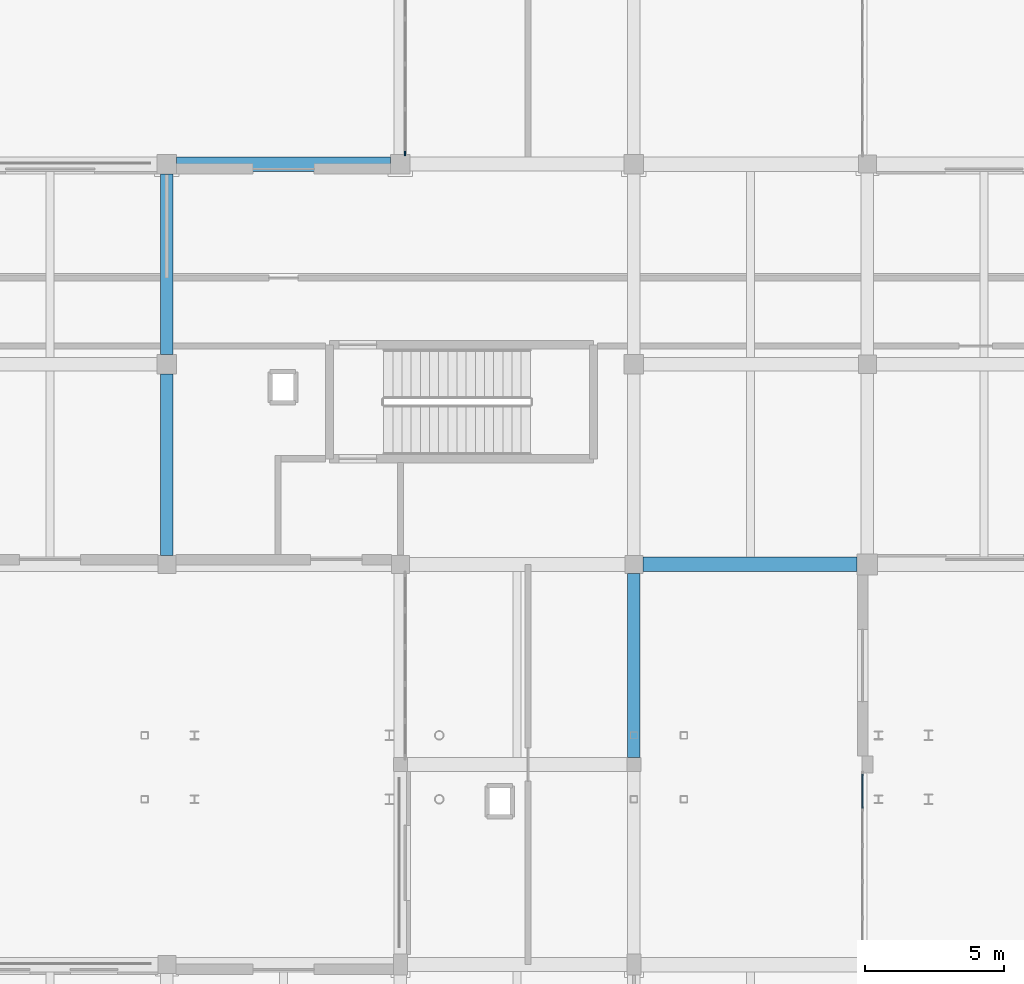
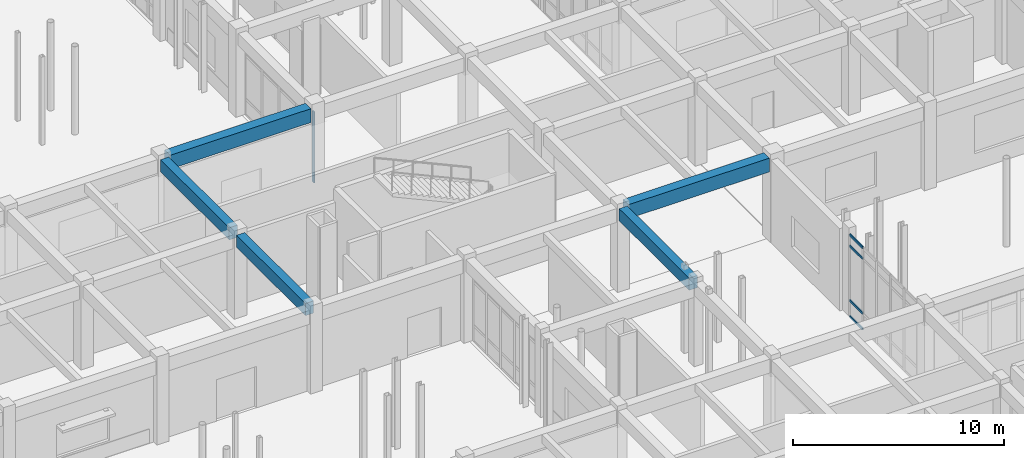
# One storey, part 50 of 121: 5 beams, 5 members, 2 elements without a shape of their own.
"""IFC4 building model written with IfcOpenShell, lengths in metres."""

from ifc_helpers import new_model, si_unit, direction, frame, origin, origin_2d, place, context, subcontext, project, spatial, rectangle, extrude, material, material_profile, profile_set, type_object, element, aggregate, save


model = new_model("IFC4")

# Units and contexts
model_context = context("Model", 3, precision=1e-05, world=origin(), true_north=direction((0.0, 1.0)))
body_context = subcontext(model_context, "Body", "Model", "MODEL_VIEW")
ifc_project = project(units=[si_unit("LENGTHUNIT", "METRE"), si_unit("AREAUNIT", "SQUARE_METRE"), si_unit("VOLUMEUNIT", "CUBIC_METRE"), si_unit("PLANEANGLEUNIT", "RADIAN"), si_unit("MASSUNIT", "GRAM", prefix="KILO")], contexts=[model_context])

# Site, building, storey
site_placement = place(None, origin())
site = spatial("IfcSite", under=ifc_project, at=site_placement, CompositionType="ELEMENT")
building_placement = place(site_placement, origin())
building = spatial("IfcBuilding", under=site, at=building_placement, Name="Malvenik Polytechnic", CompositionType="ELEMENT")
storey_placement = place(building_placement, origin())
storey = spatial("IfcBuildingStorey", under=building, at=storey_placement, Name="L00", CompositionType="ELEMENT", Elevation=0.0)

# Curtain wall, member
ifc_material_1 = material(Name="Anodised aluminium 6060-T6", Category="aluminium")
curtain_wall_type_1 = type_object("IfcCurtainWallType", Name="ARC-CW-CW-04", PredefinedType="NOTDEFINED", material=ifc_material_1)
curtain_wall_1_placement = place(storey_placement, origin())
curtain_wall_1 = element("IfcCurtainWall", 1, at=curtain_wall_1_placement, inside=storey, type_object=curtain_wall_type_1, Name="Unitised Curtain Wall CW-04 L00 #8", PredefinedType="NOTDEFINED")
ifc_material_2 = material(Name="Anodised aluminium", Category="aluminium")
ifc_material_profile_1 = material_profile(ifc_material_2, rectangle(XDim=0.06005859375, YDim=0.159912109375, at=origin_2d()), Name="ALU MULLION 60x160")
ifc_profile_set_1 = profile_set([ifc_material_profile_1], Name="Anodised aluminium")
member_type_1 = type_object("IfcMemberType", Name="ARC-CWM-160", PredefinedType="MULLION", material=ifc_profile_set_1)
member_1_placement = place(storey_placement, frame((75.77001953125, 93.97802734375, 0.0), z_axis=(0.0, 0.0, 1.0), x_axis=(-1.0, 0.0, 0.0)))
member_1 = element("IfcMember", 2, at=member_1_placement, type_object=member_type_1, Name="CW-04 mullion 1", PredefinedType="MULLION", context=body_context, shape_type="SweptSolid", body=[
    extrude(rectangle(XDim=0.06005859375, YDim=0.159912109375, at=origin_2d()), origin(), (0.0, 0.0, 1.0), 4.110107421875),
])
aggregate(curtain_wall_1, [member_1])

# Curtain wall, members
curtain_wall_type_2 = type_object("IfcCurtainWallType", Name="ARC-CW-CW-13", PredefinedType="NOTDEFINED", material=ifc_material_1)
curtain_wall_2_placement = place(storey_placement, origin())
curtain_wall_2 = element("IfcCurtainWall", 3, at=curtain_wall_2_placement, inside=storey, type_object=curtain_wall_type_2, Name="Unitised Curtain Wall CW-13 L00 #20", PredefinedType="NOTDEFINED")
ifc_material_profile_2 = material_profile(ifc_material_2, rectangle(XDim=0.06005859375, YDim=0.139892578125, at=origin_2d()), Name="ALU TRANSOM 60x140")
ifc_profile_set_2 = profile_set([ifc_material_profile_2], Name="Anodised aluminium")
member_type_2 = type_object("IfcMemberType", Name="ARC-CWT-140", PredefinedType="USERDEFINED", material=ifc_profile_set_2)
member_2_placement = place(storey_placement, frame((92.22998046875, 71.64208984375, 0.030029296875), z_axis=(0.0, -1.0, 0.0), x_axis=(1.0, 0.0, 0.0)))
member_2 = element("IfcMember", 4, at=member_2_placement, type_object=member_type_2, Name="CW-13 transom 1.1", ObjectType="TRANSOM", PredefinedType="USERDEFINED", context=body_context, shape_type="SweptSolid", body=[
    extrude(rectangle(XDim=0.06005859375, YDim=0.139892578125, at=origin_2d()), origin(), (0.0, 0.0, 1.0), 1.2158203125),
])
member_3_placement = place(storey_placement, frame((92.22998046875, 71.64208984375, 0.949951171875), z_axis=(0.0, -1.0, 0.0), x_axis=(1.0, 0.0, 0.0)))
member_3 = element("IfcMember", 5, at=member_3_placement, type_object=member_type_2, Name="CW-13 transom 1.2", ObjectType="TRANSOM", PredefinedType="USERDEFINED", context=body_context, shape_type="SweptSolid", body=[
    extrude(rectangle(XDim=0.06005859375, YDim=0.139892578125, at=origin_2d()), origin(), (0.0, 0.0, 1.0), 1.2158203125),
])
member_4_placement = place(storey_placement, frame((92.22998046875, 71.64208984375, 4.110107421875), z_axis=(0.0, -1.0, 0.0), x_axis=(1.0, 0.0, 0.0)))
member_4 = element("IfcMember", 6, at=member_4_placement, type_object=member_type_2, Name="CW-13 transom 1.3", ObjectType="TRANSOM", PredefinedType="USERDEFINED", context=body_context, shape_type="SweptSolid", body=[
    extrude(rectangle(XDim=0.06005859375, YDim=0.139892578125, at=origin_2d()), origin(), (0.0, 0.0, 1.0), 1.2158203125),
])
member_5_placement = place(storey_placement, frame((92.22998046875, 71.64208984375, 4.72998046875), z_axis=(0.0, -1.0, 0.0), x_axis=(1.0, 0.0, 0.0)))
member_5 = element("IfcMember", 7, at=member_5_placement, type_object=member_type_2, Name="CW-13 transom 1.4", ObjectType="TRANSOM", PredefinedType="USERDEFINED", context=body_context, shape_type="SweptSolid", body=[
    extrude(rectangle(XDim=0.06005859375, YDim=0.139892578125, at=origin_2d()), origin(), (0.0, 0.0, 1.0), 1.2158203125),
])
aggregate(curtain_wall_2, [member_2, member_3, member_4, member_5])

# Beams
ifc_material_3 = material(Name="Concrete C35/45", Category="concrete")
ifc_material_profile_3 = material_profile(ifc_material_3, rectangle(XDim=0.449951171875, YDim=0.699951171875, at=origin_2d()), Name="RC BM 450x700")
ifc_profile_set_3 = profile_set([ifc_material_profile_3], Name="Concrete C35/45")
beam_type_1 = type_object("IfcBeamType", Name="STR-BM-B-04", PredefinedType="BEAM", material=ifc_profile_set_3)
beam_1_placement = place(storey_placement, frame((67.199951171875, 79.52294921875, 4.469970703125), z_axis=(0.0, 1.0, 0.0), x_axis=(-1.0, 0.0, 0.0)))
element("IfcBeam", 8, at=beam_1_placement, inside=storey, type_object=beam_type_1, Name="Transverse Beam B-04 L00 #762", PredefinedType="BEAM", context=body_context, shape_type="SweptSolid", body=[
    extrude(rectangle(XDim=0.449951171875, YDim=0.699951171875, at=origin_2d()), origin(), (0.0, 0.0, 1.0), 6.529052734375),
])
beam_2_placement = place(storey_placement, frame((67.199951171875, 86.748046875, 4.469970703125), z_axis=(0.0, 1.0, 0.0), x_axis=(-1.0, 0.0, 0.0)))
element("IfcBeam", 9, at=beam_2_placement, inside=storey, type_object=beam_type_1, Name="Transverse Beam B-04 L00 #763", PredefinedType="BEAM", context=body_context, shape_type="SweptSolid", body=[
    extrude(rectangle(XDim=0.449951171875, YDim=0.699951171875, at=origin_2d()), origin(), (0.0, 0.0, 1.0), 6.50390625),
])
beam_3_placement = place(storey_placement, frame((84.0, 72.248046875, 4.469970703125), z_axis=(0.0, 1.0, 0.0), x_axis=(-1.0, 0.0, 0.0)))
element("IfcBeam", 10, at=beam_3_placement, inside=storey, type_object=beam_type_1, Name="Transverse Beam B-04 L00 #786", PredefinedType="BEAM", context=body_context, shape_type="SweptSolid", body=[
    extrude(rectangle(XDim=0.449951171875, YDim=0.699951171875, at=origin_2d()), origin(), (0.0, 0.0, 1.0), 6.62890625),
])
ifc_material_4 = material(Name="Precast concrete C40/50", Category="concrete")
ifc_material_profile_4 = material_profile(ifc_material_4, rectangle(XDim=0.52001953125, YDim=0.800048828125, at=origin_2d()), Name="PC SPN 520x800")
ifc_profile_set_4 = profile_set([ifc_material_profile_4], Name="Precast concrete C40/50")
beam_type_2 = type_object("IfcBeamType", Name="STR-BM-SP-01", PredefinedType="SPANDREL", material=ifc_profile_set_4)
beam_4_placement = place(storey_placement, frame((84.322998046875, 79.199951171875, 4.419921875), z_axis=(1.0, 0.0, 0.0), x_axis=(0.0, 1.0, 0.0)))
element("IfcBeam", 11, at=beam_4_placement, inside=storey, type_object=beam_type_2, Name="Primary Beam SP-01 L00 #622", PredefinedType="SPANDREL", context=body_context, shape_type="SweptSolid", body=[
    extrude(rectangle(XDim=0.52001953125, YDim=0.800048828125, at=origin_2d()), origin(), (0.0, 0.0, 1.0), 7.7041015625),
])
beam_5_placement = place(storey_placement, frame((67.548095703125, 93.60009765625, 4.419921875), z_axis=(1.0, 0.0, 0.0), x_axis=(0.0, 1.0, 0.0)))
element("IfcBeam", 12, at=beam_5_placement, inside=storey, type_object=beam_type_2, Name="Primary Beam SP-01 L00 #648", PredefinedType="SPANDREL", context=body_context, shape_type="SweptSolid", body=[
    extrude(rectangle(XDim=0.52001953125, YDim=0.800048828125, at=origin_2d()), origin(), (0.0, 0.0, 1.0), 7.703857421875),
])

save(model, "model.ifc")
